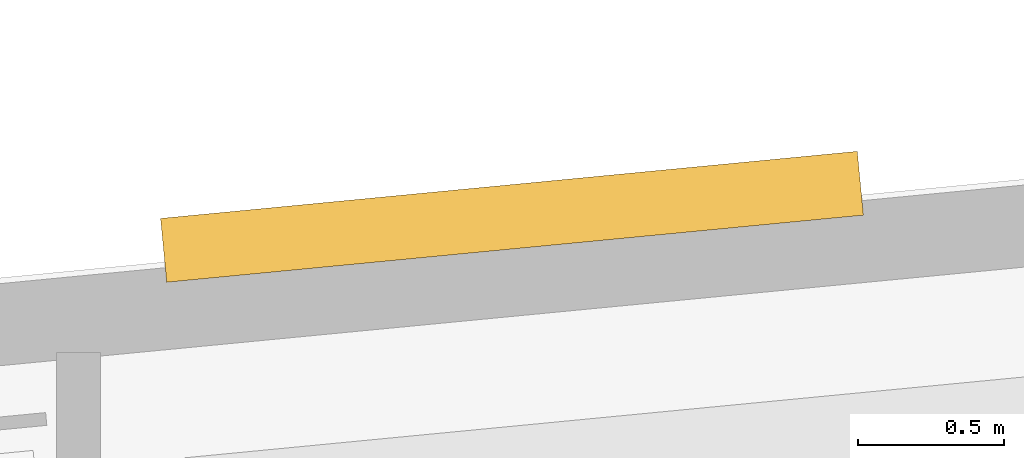
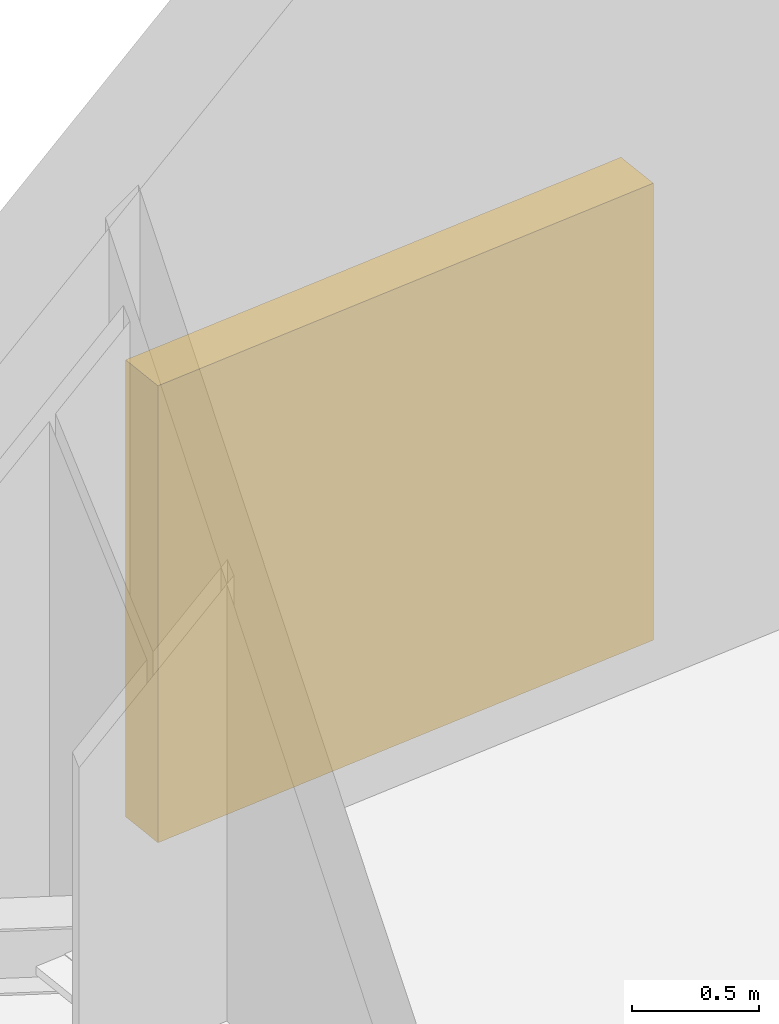
# One storey, part 9 of 9: 1 shading device.
"""IFC4 building model written with IfcOpenShell, lengths in metres."""

from ifc_helpers import new_model, si_unit, direction, frame, origin, origin_2d, place, context, subcontext, project, spatial, rectangle, extrude, material, type_object, element, save


model = new_model("IFC4")

# Units and contexts
model_context = context("Model", 3, precision=1e-05, world=origin(), true_north=direction((0.0, 1.0)))
body_context = subcontext(model_context, "Body", "Model", "MODEL_VIEW")
ifc_project = project(units=[si_unit("LENGTHUNIT", "METRE"), si_unit("AREAUNIT", "SQUARE_METRE"), si_unit("VOLUMEUNIT", "CUBIC_METRE"), si_unit("PLANEANGLEUNIT", "RADIAN"), si_unit("MASSUNIT", "GRAM", prefix="KILO")], contexts=[model_context])

# Site, building, storey
site_placement = place(None, origin())
site = spatial("IfcSite", under=ifc_project, at=site_placement, CompositionType="ELEMENT")
building_placement = place(site_placement, origin())
building = spatial("IfcBuilding", under=site, at=building_placement, Name="Velakula Bourse", CompositionType="ELEMENT")
storey_placement = place(building_placement, frame((0.0, 0.0, 112.14990234375)))
storey = spatial("IfcBuildingStorey", under=building, at=storey_placement, Name="L30", CompositionType="ELEMENT", Elevation=112.14990234375)

# Shading device
ifc_material = material(Name="Anodised bronze architectural aluminium", Category="aluminium")
shading_device_type = type_object("IfcShadingDeviceType", Name="SHD-JLS-2400", PredefinedType="JALOUSIE", material=ifc_material)
shading_device_placement = place(storey_placement, frame((-7.013427734375, 23.478759765625, 0.0), z_axis=(0.0, 0.0, 1.0), x_axis=(0.995396198367, 0.09584575252, 0.0)))
element("IfcShadingDevice", 1, at=shading_device_placement, inside=storey, type_object=shading_device_type, Name="L30 Mechanical Plant Acoustic Intake Louvre N", PredefinedType="JALOUSIE", context=body_context, shape_type="SweptSolid", body=[
    extrude(rectangle(XDim=2.39990234375, YDim=0.219970703125, at=origin_2d()), origin(), (0.0, 0.0, 1.0), 2.199951171875),
])

save(model, "model.ifc")
